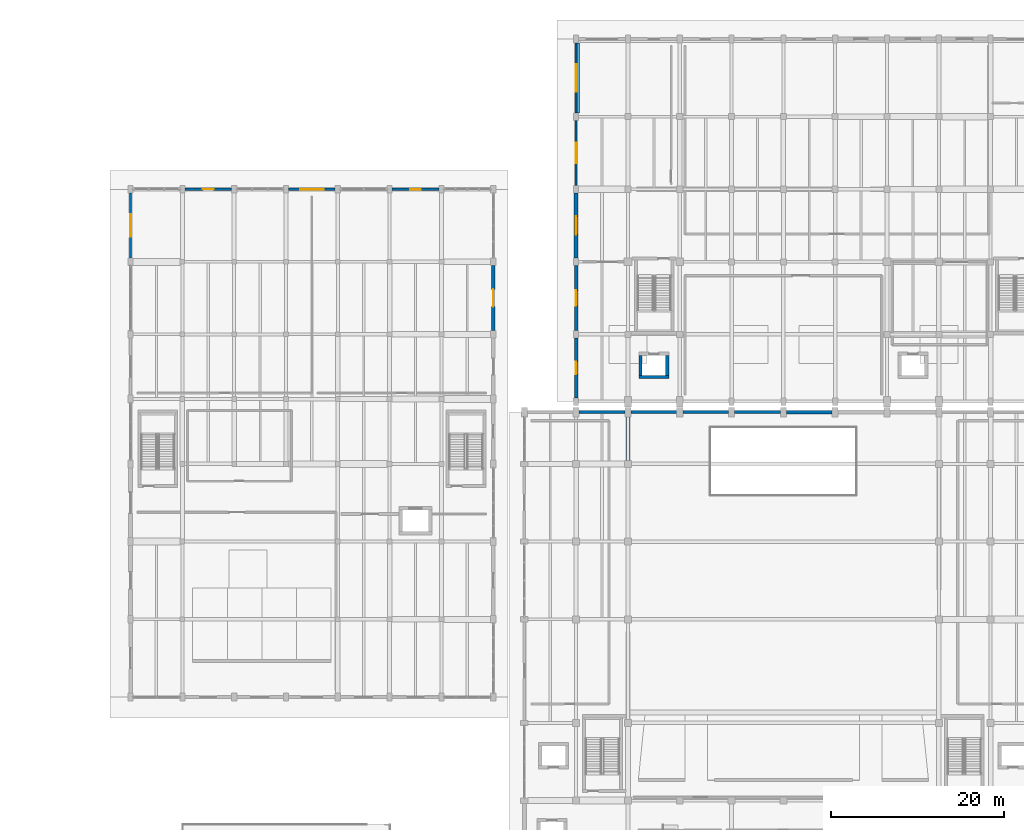
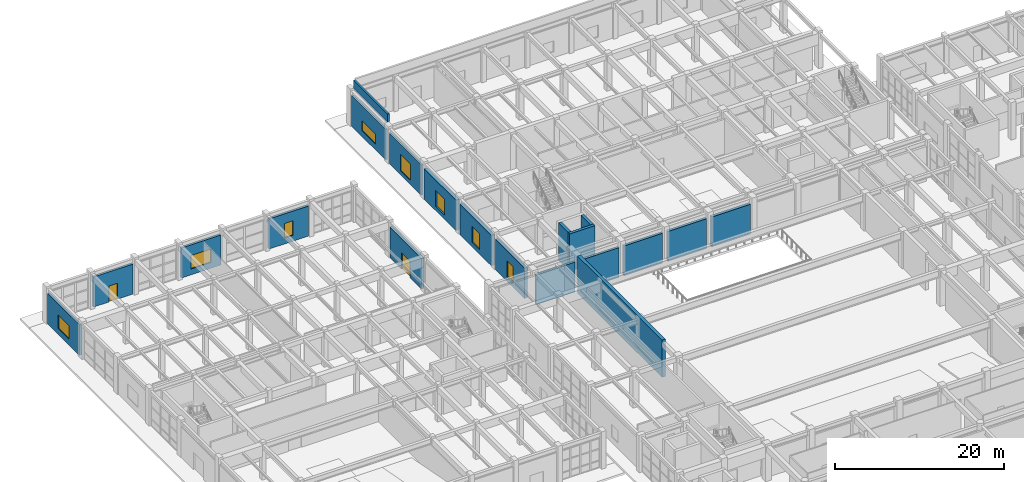
# One storey, part 74 of 91: 20 walls, 8 windows, 2 doors, 10 openings.
"""IFC4 building model written with IfcOpenShell, lengths in metres."""

from ifc_helpers import new_model, si_unit, direction, frame, frame_2d, origin, place, context, subcontext, project, spatial, rectangle, extrude, material, layer, layer_set, type_object, element, fill, save


model = new_model("IFC4")

# Units and contexts
model_context = context("Model", 3, precision=1e-05, world=origin(), true_north=direction((0.0, 1.0)))
body_context = subcontext(model_context, "Body", "Model", "MODEL_VIEW")
ifc_project = project(units=[si_unit("LENGTHUNIT", "METRE"), si_unit("AREAUNIT", "SQUARE_METRE"), si_unit("VOLUMEUNIT", "CUBIC_METRE"), si_unit("PLANEANGLEUNIT", "RADIAN"), si_unit("MASSUNIT", "GRAM", prefix="KILO")], contexts=[model_context])

# Site, building, storey
site_placement = place(None, origin())
site = spatial("IfcSite", under=ifc_project, at=site_placement, CompositionType="ELEMENT")
building_placement = place(site_placement, origin())
building = spatial("IfcBuilding", under=site, at=building_placement, Name="Vaelkrest Opera House", CompositionType="ELEMENT")
storey_placement = place(building_placement, origin())
storey = spatial("IfcBuildingStorey", under=building, at=storey_placement, Name="L00", CompositionType="ELEMENT", Elevation=0.0)

# Wall, opening, window
ifc_material_1 = material(Name="Douglas fir glulam GL28h", Category="wood")
ifc_layer_1 = layer(ifc_material_1, 0.2548828125)
ifc_layer_set_1 = layer_set([ifc_layer_1], Name="Douglas fir glulam GL28h")
wall_type_1 = type_object("IfcWallType", Name="EW01", PredefinedType="STANDARD", material=ifc_layer_set_1)
wall_1_placement = place(storey_placement, frame((-24.0, 42.447998046875, 0.0), z_axis=(0.0, 0.0, 1.0), x_axis=(0.0, 1.0, 0.0)))
wall_1 = element("IfcWall", 1, at=wall_1_placement, inside=storey, type_object=wall_type_1, Name="Exterior facade wall EW-V2-L00-0331", PredefinedType="STANDARD", context=body_context, shape_type="SweptSolid", body=[
    extrude(rectangle(XDim=7.50390625, YDim=0.2548828125, at=frame_2d((3.751953125, 0.0))), origin(), (0.0, 0.0, 1.0), 4.404052734375),
])
opening_1_placement = place(wall_1_placement, frame((2.552001953125, 0.0, 0.60009765625)))
opening_1 = element("IfcOpeningElement", 2, at=opening_1_placement, cuts=wall_1, Name="Opening WN206", PredefinedType="OPENING", context=body_context, shape_type="SweptSolid", body=[
    extrude(rectangle(XDim=2.39990234375, YDim=2.35009765625, at=frame_2d((1.199951171875, 1.175048828125))), frame((0.0, 0.137451171875, 0.0), z_axis=(0.0, -1.0, 0.0), x_axis=(1.0, 0.0, 0.0)), (0.0, 0.0, 1.0), 0.27490234375),
])
ifc_material_2 = material(Name="Double low-E insulated glazing", Category="glass")
window_type_1 = type_object("IfcWindowType", Name="WT24", PartitioningType="SINGLE_PANEL", PredefinedType="WINDOW", material=ifc_material_2)
window_1_placement = place(opening_1_placement, origin())
window_1 = element("IfcWindow", 3, at=window_1_placement, inside=storey, type_object=window_type_1, Name="Facade window WN206", OverallHeight=2.35009765625, OverallWidth=2.39990234375, PartitioningType="SINGLE_PANEL", PredefinedType="WINDOW", context=body_context, shape_type="SweptSolid", body=[
    extrude(rectangle(XDim=2.39990234375, YDim=2.35009765625, at=frame_2d((1.199951171875, 1.175048828125))), frame((0.0, 0.030029296875, 0.0), z_axis=(0.0, -1.0, 0.0), x_axis=(1.0, 0.0, 0.0)), (0.0, 0.0, 1.0), 0.06005859375),
])
fill(opening_1, window_1)

ifc_layer_2 = layer(ifc_material_1, 0.27490234375)
ifc_layer_set_2 = layer_set([ifc_layer_2], Name="Douglas fir glulam GL28h")
wall_type_2 = type_object("IfcWallType", Name="EW02", PredefinedType="STANDARD", material=ifc_layer_set_2)
wall_2_placement = place(storey_placement, frame((-75.60009765625, 34.048095703125, 0.0), z_axis=(0.0, 0.0, 1.0), x_axis=(0.0, 1.0, 0.0)))
wall_2 = element("IfcWall", 4, at=wall_2_placement, inside=storey, type_object=wall_type_2, Name="Exterior facade wall EW-V3-L00-0152", PredefinedType="STANDARD", context=body_context, shape_type="SweptSolid", body=[
    extrude(rectangle(XDim=7.50390625, YDim=0.27490234375, at=frame_2d((3.751953125, 0.0))), origin(), (0.0, 0.0, 1.0), 4.428955078125),
])
opening_2_placement = place(wall_2_placement, frame((2.451904296875, 0.0, 0.85009765625)))
opening_2 = element("IfcOpeningElement", 5, at=opening_2_placement, cuts=wall_2, Name="Opening WN063", PredefinedType="OPENING", context=body_context, shape_type="SweptSolid", body=[
    extrude(rectangle(XDim=2.60009765625, YDim=1.949951171875, at=frame_2d((1.300048828125, 0.97509765625))), frame((0.0, 0.1474609375, 0.0), z_axis=(0.0, -1.0, 0.0), x_axis=(1.0, 0.0, 0.0)), (0.0, 0.0, 1.0), 0.294921875),
])
window_type_2 = type_object("IfcWindowType", Name="WT11", PartitioningType="SINGLE_PANEL", PredefinedType="WINDOW", material=ifc_material_2)
window_2_placement = place(opening_2_placement, origin())
window_2 = element("IfcWindow", 6, at=window_2_placement, inside=storey, type_object=window_type_2, Name="Facade window WN063", OverallHeight=1.949951171875, OverallWidth=2.60009765625, PartitioningType="SINGLE_PANEL", PredefinedType="WINDOW", context=body_context, shape_type="SweptSolid", body=[
    extrude(rectangle(XDim=2.60009765625, YDim=1.949951171875, at=frame_2d((1.300048828125, 0.97509765625))), frame((0.0, 0.030029296875, 0.0), z_axis=(0.0, -1.0, 0.0), x_axis=(1.0, 0.0, 0.0)), (0.0, 0.0, 1.0), 0.06005859375),
])
fill(opening_2, window_2)

wall_3_placement = place(storey_placement, frame((-24.0, 50.847900390625, 0.0), z_axis=(0.0, 0.0, 1.0), x_axis=(0.0, 1.0, 0.0)))
wall_3 = element("IfcWall", 7, at=wall_3_placement, inside=storey, type_object=wall_type_2, Name="Exterior facade wall EW-V2-L00-0332", PredefinedType="STANDARD", context=body_context, shape_type="SweptSolid", body=[
    extrude(rectangle(XDim=8.10400390625, YDim=0.27490234375, at=frame_2d((4.052001953125, 0.0))), origin(), (0.0, 0.0, 1.0), 4.428955078125),
])
opening_3_placement = place(wall_3_placement, frame((2.451904296875, 0.0, 0.85009765625)))
opening_3 = element("IfcOpeningElement", 8, at=opening_3_placement, cuts=wall_3, Name="Opening WN207", PredefinedType="OPENING", context=body_context, shape_type="SweptSolid", body=[
    extrude(rectangle(XDim=3.199951171875, YDim=1.449951171875, at=frame_2d((1.60009765625, 0.72509765625))), frame((0.0, 0.1474609375, 0.0), z_axis=(0.0, -1.0, 0.0), x_axis=(1.0, 0.0, 0.0)), (0.0, 0.0, 1.0), 0.294921875),
])
window_type_3 = type_object("IfcWindowType", Name="WT25", PartitioningType="SINGLE_PANEL", PredefinedType="WINDOW", material=ifc_material_2)
window_3_placement = place(opening_3_placement, origin())
window_3 = element("IfcWindow", 9, at=window_3_placement, inside=storey, type_object=window_type_3, Name="Facade window WN207", OverallHeight=1.449951171875, OverallWidth=3.199951171875, PartitioningType="SINGLE_PANEL", PredefinedType="WINDOW", context=body_context, shape_type="SweptSolid", body=[
    extrude(rectangle(XDim=3.199951171875, YDim=1.449951171875, at=frame_2d((1.60009765625, 0.72509765625))), frame((0.0, 0.030029296875, 0.0), z_axis=(0.0, -1.0, 0.0), x_axis=(1.0, 0.0, 0.0)), (0.0, 0.0, 1.0), 0.06005859375),
])
fill(opening_3, window_3)

# Wall, opening, door
ifc_layer_3 = layer(ifc_material_1, 0.294921875)
ifc_layer_set_3 = layer_set([ifc_layer_3], Name="Douglas fir glulam GL28h")
wall_type_3 = type_object("IfcWallType", Name="EW03", PredefinedType="STANDARD", material=ifc_layer_set_3)
wall_4_placement = place(storey_placement, frame((-69.302001953125, 42.0, 0.0), z_axis=(0.0, 0.0, 1.0), x_axis=(1.0, 0.0, 0.0)))
wall_4 = element("IfcWall", 10, at=wall_4_placement, inside=storey, type_object=wall_type_3, Name="Exterior facade wall EW-V3-L00-0153", PredefinedType="STANDARD", context=body_context, shape_type="SweptSolid", body=[
    extrude(rectangle(XDim=5.404052734375, YDim=0.294921875, at=frame_2d((2.7021484375, 0.0))), origin(), (0.0, 0.0, 1.0), 4.344970703125),
])
opening_4_placement = place(wall_4_placement, frame((2.092041015625, 0.0, 0.0)))
opening_4 = element("IfcOpeningElement", 11, at=opening_4_placement, cuts=wall_4, Name="Opening ED-N-V3", PredefinedType="OPENING", context=body_context, shape_type="SweptSolid", body=[
    extrude(rectangle(XDim=1.219970703125, YDim=2.300048828125, at=frame_2d((0.60986328125, 1.14990234375))), frame((0.0, 0.157470703125, 0.0), z_axis=(0.0, -1.0, 0.0), x_axis=(1.0, 0.0, 0.0)), (0.0, 0.0, 1.0), 0.31494140625),
])
ifc_material_3 = material(Name="Dark bronze anodized aluminium", Category="aluminium")
door_type_1 = type_object("IfcDoorType", Name="EDT06", OperationType="NOTDEFINED", PredefinedType="DOOR", material=ifc_material_3)
door_1_placement = place(opening_4_placement, origin())
door_1 = element("IfcDoor", 12, at=door_1_placement, inside=storey, type_object=door_type_1, Name="Exterior exit door ED-N-V3", OperationType="SINGLE_SWING_RIGHT", OverallHeight=2.300048828125, OverallWidth=1.219970703125, PredefinedType="DOOR", context=body_context, shape_type="SweptSolid", body=[
    extrude(rectangle(XDim=1.219970703125, YDim=2.300048828125, at=frame_2d((0.60986328125, 1.14990234375))), frame((0.0, 0.02490234375, 0.0), z_axis=(0.0, -1.0, 0.0), x_axis=(1.0, 0.0, 0.0)), (0.0, 0.0, 1.0), 0.050048828125),
])
fill(opening_4, door_1)

# Wall
ifc_material_4 = material(Name="American black walnut acoustic timber", Category="wood")
ifc_layer_4 = layer(ifc_material_4, 0.31494140625)
ifc_layer_set_4 = layer_set([ifc_layer_4], Name="American black walnut acoustic timber")
wall_type_4 = type_object("IfcWallType", Name="EW04", PredefinedType="STANDARD", material=ifc_layer_set_4)
wall_5_placement = place(storey_placement, frame((-23.652099609375, 16.199951171875, 0.0), z_axis=(0.0, 0.0, 1.0), x_axis=(1.0, 0.0, 0.0)))
element("IfcWall", 13, at=wall_5_placement, inside=storey, type_object=wall_type_4, Name="Exterior facade wall EW-V1-L00-0014", PredefinedType="STANDARD", context=body_context, shape_type="SweptSolid", body=[
    extrude(rectangle(XDim=5.30419921875, YDim=0.31494140625, at=frame_2d((2.652099609375, 0.0))), origin(), (0.0, 0.0, 1.0), 4.320068359375),
])

# Wall, opening, window
wall_6_placement = place(storey_placement, frame((-57.302001953125, 42.0, 0.0), z_axis=(0.0, 0.0, 1.0), x_axis=(1.0, 0.0, 0.0)))
wall_6 = element("IfcWall", 14, at=wall_6_placement, inside=storey, type_object=wall_type_4, Name="Exterior facade wall EW-V3-L00-0154", PredefinedType="STANDARD", context=body_context, shape_type="SweptSolid", body=[
    extrude(rectangle(XDim=5.404052734375, YDim=0.31494140625, at=frame_2d((2.7021484375, 0.0))), origin(), (0.0, 0.0, 1.0), 4.344970703125),
])
opening_5_placement = place(wall_6_placement, frame((1.326904296875, 0.0, 0.85009765625)))
opening_5 = element("IfcOpeningElement", 15, at=opening_5_placement, cuts=wall_6, Name="Opening WN064", PredefinedType="OPENING", context=body_context, shape_type="SweptSolid", body=[
    extrude(rectangle(XDim=2.75, YDim=1.949951171875, at=frame_2d((1.375, 0.97509765625))), frame((0.0, 0.16748046875, 0.0), z_axis=(0.0, -1.0, 0.0), x_axis=(1.0, 0.0, 0.0)), (0.0, 0.0, 1.0), 0.3349609375),
])
window_type_4 = type_object("IfcWindowType", Name="WT12", PartitioningType="SINGLE_PANEL", PredefinedType="WINDOW", material=ifc_material_2)
window_4_placement = place(opening_5_placement, origin())
window_4 = element("IfcWindow", 16, at=window_4_placement, inside=storey, type_object=window_type_4, Name="Facade window WN064", OverallHeight=1.949951171875, OverallWidth=2.75, PartitioningType="SINGLE_PANEL", PredefinedType="WINDOW", context=body_context, shape_type="SweptSolid", body=[
    extrude(rectangle(XDim=2.75, YDim=1.949951171875, at=frame_2d((1.375, 0.97509765625))), frame((0.0, 0.030029296875, 0.0), z_axis=(0.0, -1.0, 0.0), x_axis=(1.0, 0.0, 0.0)), (0.0, 0.0, 1.0), 0.06005859375),
])
fill(opening_5, window_4)

# Wall
ifc_layer_5 = layer(ifc_material_4, 0.3349609375)
ifc_layer_set_5 = layer_set([ifc_layer_5], Name="American black walnut acoustic timber")
wall_type_5 = type_object("IfcWallType", Name="EW05", PredefinedType="STANDARD", material=ifc_layer_set_5)
wall_7_placement = place(storey_placement, frame((-17.652099609375, 16.199951171875, 0.0), z_axis=(0.0, 0.0, 1.0), x_axis=(1.0, 0.0, 0.0)))
element("IfcWall", 17, at=wall_7_placement, inside=storey, type_object=wall_type_5, Name="Exterior facade wall EW-V1-L00-0015", PredefinedType="STANDARD", context=body_context, shape_type="SweptSolid", body=[
    extrude(rectangle(XDim=5.30419921875, YDim=0.3349609375, at=frame_2d((2.652099609375, 0.0))), origin(), (0.0, 0.0, 1.0), 4.320068359375),
])

# Wall, opening, window
wall_8_placement = place(storey_placement, frame((-45.302001953125, 42.0, 0.0), z_axis=(0.0, 0.0, 1.0), x_axis=(1.0, 0.0, 0.0)))
wall_8 = element("IfcWall", 18, at=wall_8_placement, inside=storey, type_object=wall_type_5, Name="Exterior facade wall EW-V3-L00-0155", PredefinedType="STANDARD", context=body_context, shape_type="SweptSolid", body=[
    extrude(rectangle(XDim=5.404052734375, YDim=0.3349609375, at=frame_2d((2.7021484375, 0.0))), origin(), (0.0, 0.0, 1.0), 4.344970703125),
])
opening_6_placement = place(wall_8_placement, frame((2.10205078125, 0.0, 0.85009765625)))
opening_6 = element("IfcOpeningElement", 19, at=opening_6_placement, cuts=wall_8, Name="Opening WN065", PredefinedType="OPENING", context=body_context, shape_type="SweptSolid", body=[
    extrude(rectangle(XDim=1.199951171875, YDim=2.10009765625, at=frame_2d((0.60009765625, 1.050048828125))), frame((0.0, 0.177490234375, 0.0), z_axis=(0.0, -1.0, 0.0), x_axis=(1.0, 0.0, 0.0)), (0.0, 0.0, 1.0), 0.35498046875),
])
window_type_5 = type_object("IfcWindowType", Name="WT13", PartitioningType="SINGLE_PANEL", PredefinedType="WINDOW", material=ifc_material_2)
window_5_placement = place(opening_6_placement, origin())
window_5 = element("IfcWindow", 20, at=window_5_placement, inside=storey, type_object=window_type_5, Name="Facade window WN065", OverallHeight=2.10009765625, OverallWidth=1.199951171875, PartitioningType="SINGLE_PANEL", PredefinedType="WINDOW", context=body_context, shape_type="SweptSolid", body=[
    extrude(rectangle(XDim=1.199951171875, YDim=2.10009765625, at=frame_2d((0.60009765625, 1.050048828125))), frame((0.0, 0.030029296875, 0.0), z_axis=(0.0, -1.0, 0.0), x_axis=(1.0, 0.0, 0.0)), (0.0, 0.0, 1.0), 0.06005859375),
])
fill(opening_6, window_5)

# Wall
ifc_layer_6 = layer(ifc_material_4, 0.360107421875)
ifc_layer_set_6 = layer_set([ifc_layer_6], Name="American black walnut acoustic timber")
wall_type_6 = type_object("IfcWallType", Name="EW06", PredefinedType="STANDARD", material=ifc_layer_set_6)
wall_9_placement = place(storey_placement, frame((-11.652099609375, 16.199951171875, 0.0), z_axis=(0.0, 0.0, 1.0), x_axis=(1.0, 0.0, 0.0)))
element("IfcWall", 21, at=wall_9_placement, inside=storey, type_object=wall_type_6, Name="Exterior facade wall EW-V1-L00-0016", PredefinedType="STANDARD", context=body_context, shape_type="SweptSolid", body=[
    extrude(rectangle(XDim=5.30419921875, YDim=0.360107421875, at=frame_2d((2.652099609375, 0.0))), origin(), (0.0, 0.0, 1.0), 4.320068359375),
])

# Wall, opening, door
wall_10_placement = place(storey_placement, frame((-33.60009765625, 33.152099609375, 0.0), z_axis=(0.0, 0.0, 1.0), x_axis=(0.0, -1.0, 0.0)))
wall_10 = element("IfcWall", 22, at=wall_10_placement, inside=storey, type_object=wall_type_6, Name="Exterior facade wall EW-V3-L00-0156", PredefinedType="STANDARD", context=body_context, shape_type="SweptSolid", body=[
    extrude(rectangle(XDim=7.504150390625, YDim=0.360107421875, at=frame_2d((3.751953125, 0.0))), origin(), (0.0, 0.0, 1.0), 4.404052734375),
])
opening_7_placement = place(wall_10_placement, frame((2.751953125, 0.0, 0.0)))
opening_7 = element("IfcOpeningElement", 23, at=opening_7_placement, cuts=wall_10, Name="Opening ED17", PredefinedType="OPENING", context=body_context, shape_type="SweptSolid", body=[
    extrude(rectangle(XDim=2.0, YDim=2.39990234375, at=frame_2d((1.0, 1.199951171875))), frame((0.0, 0.18994140625, 0.0), z_axis=(0.0, -1.0, 0.0), x_axis=(1.0, 0.0, 0.0)), (0.0, 0.0, 1.0), 0.380126953125),
])
door_type_2 = type_object("IfcDoorType", Name="EDT01", OperationType="DOUBLE_DOOR_SINGLE_SWING", PredefinedType="DOOR", material=ifc_material_3)
door_2_placement = place(opening_7_placement, origin())
door_2 = element("IfcDoor", 24, at=door_2_placement, inside=storey, type_object=door_type_2, Name="Exterior exit door ED17", OperationType="DOUBLE_DOOR_SINGLE_SWING", OverallHeight=2.39990234375, OverallWidth=2.0, PredefinedType="DOOR", context=body_context, shape_type="SweptSolid", body=[
    extrude(rectangle(XDim=2.0, YDim=2.39990234375, at=frame_2d((1.0, 1.199951171875))), frame((0.0, 0.02490234375, 0.0), z_axis=(0.0, -1.0, 0.0), x_axis=(1.0, 0.0, 0.0)), (0.0, 0.0, 1.0), 0.050048828125),
])
fill(opening_7, door_2)

# Walls
ifc_material_5 = material(Name="Concrete C40/50", Category="concrete")
ifc_layer_7 = layer(ifc_material_5, 0.385009765625)
ifc_layer_set_7 = layer_set([ifc_layer_7], Name="Concrete C40/50")
wall_type_7 = type_object("IfcWallType", Name="EW07", PredefinedType="STANDARD", material=ifc_layer_set_7)
wall_11_placement = place(storey_placement, frame((-5.652099609375, 16.199951171875, 0.0), z_axis=(0.0, 0.0, 1.0), x_axis=(1.0, 0.0, 0.0)))
element("IfcWall", 25, at=wall_11_placement, inside=storey, type_object=wall_type_7, Name="Exterior facade wall EW-V1-L00-0017", PredefinedType="STANDARD", context=body_context, shape_type="SweptSolid", body=[
    extrude(rectangle(XDim=5.30419921875, YDim=0.385009765625, at=frame_2d((2.652099609375, 0.0))), origin(), (0.0, 0.0, 1.0), 4.320068359375),
])
ifc_layer_8 = layer(ifc_material_5, 0.409912109375)
ifc_layer_set_8 = layer_set([ifc_layer_8], Name="Concrete C40/50")
wall_type_8 = type_object("IfcWallType", Name="EW08", PredefinedType="STANDARD", material=ifc_layer_set_8)
wall_12_placement = place(storey_placement, frame((0.347900390625, 16.199951171875, 0.0), z_axis=(0.0, 0.0, 1.0), x_axis=(1.0, 0.0, 0.0)))
element("IfcWall", 26, at=wall_12_placement, inside=storey, type_object=wall_type_8, Name="Exterior facade wall EW-V1-L00-0018", PredefinedType="STANDARD", context=body_context, shape_type="SweptSolid", body=[
    extrude(rectangle(XDim=5.30419921875, YDim=0.409912109375, at=frame_2d((2.652099609375, 0.0))), origin(), (0.0, 0.0, 1.0), 4.320068359375),
])

# Wall, opening, window
wall_13_placement = place(storey_placement, frame((-24.0, 17.847900390625, 0.0), z_axis=(0.0, 0.0, 1.0), x_axis=(0.0, 1.0, 0.0)))
wall_13 = element("IfcWall", 27, at=wall_13_placement, inside=storey, type_object=wall_type_8, Name="Exterior facade wall EW-V2-L00-0328", PredefinedType="STANDARD", context=body_context, shape_type="SweptSolid", body=[
    extrude(rectangle(XDim=6.904052734375, YDim=0.409912109375, at=frame_2d((3.4521484375, 0.0))), origin(), (0.0, 0.0, 1.0), 4.404052734375),
])
opening_8_placement = place(wall_13_placement, frame((2.701904296875, 0.0, 0.60009765625)))
opening_8 = element("IfcOpeningElement", 28, at=opening_8_placement, cuts=wall_13, Name="Opening WN203", PredefinedType="OPENING", context=body_context, shape_type="SweptSolid", body=[
    extrude(rectangle(XDim=1.5, YDim=2.35009765625, at=frame_2d((0.75, 1.175048828125))), frame((0.0, 0.21484375, 0.0), z_axis=(0.0, -1.0, 0.0), x_axis=(1.0, 0.0, 0.0)), (0.0, 0.0, 1.0), 0.429931640625),
])
window_type_6 = type_object("IfcWindowType", Name="WT21", PartitioningType="SINGLE_PANEL", PredefinedType="WINDOW", material=ifc_material_2)
window_6_placement = place(opening_8_placement, origin())
window_6 = element("IfcWindow", 29, at=window_6_placement, inside=storey, type_object=window_type_6, Name="Facade window WN203", OverallHeight=2.35009765625, OverallWidth=1.5, PartitioningType="SINGLE_PANEL", PredefinedType="WINDOW", context=body_context, shape_type="SweptSolid", body=[
    extrude(rectangle(XDim=1.5, YDim=2.35009765625, at=frame_2d((0.75, 1.175048828125))), frame((0.0, 0.030029296875, 0.0), z_axis=(0.0, -1.0, 0.0), x_axis=(1.0, 0.0, 0.0)), (0.0, 0.0, 1.0), 0.06005859375),
])
fill(opening_8, window_6)

ifc_layer_9 = layer(ifc_material_5, 0.43505859375)
ifc_layer_set_9 = layer_set([ifc_layer_9], Name="Concrete C40/50")
wall_type_9 = type_object("IfcWallType", Name="EW09", PredefinedType="STANDARD", material=ifc_layer_set_9)
wall_14_placement = place(storey_placement, frame((-24.0, 25.64794921875, 0.0), z_axis=(0.0, 0.0, 1.0), x_axis=(0.0, 1.0, 0.0)))
wall_14 = element("IfcWall", 30, at=wall_14_placement, inside=storey, type_object=wall_type_9, Name="Exterior facade wall EW-V2-L00-0329", PredefinedType="STANDARD", context=body_context, shape_type="SweptSolid", body=[
    extrude(rectangle(XDim=7.504150390625, YDim=0.43505859375, at=frame_2d((3.751953125, 0.0))), origin(), (0.0, 0.0, 1.0), 4.404052734375),
])
opening_9_placement = place(wall_14_placement, frame((2.85205078125, 0.0, 0.60009765625)))
opening_9 = element("IfcOpeningElement", 31, at=opening_9_placement, cuts=wall_14, Name="Opening WN204", PredefinedType="OPENING", context=body_context, shape_type="SweptSolid", body=[
    extrude(rectangle(XDim=1.800048828125, YDim=2.35009765625, at=frame_2d((0.89990234375, 1.175048828125))), frame((0.0, 0.2275390625, 0.0), z_axis=(0.0, -1.0, 0.0), x_axis=(1.0, 0.0, 0.0)), (0.0, 0.0, 1.0), 0.455078125),
])
window_type_7 = type_object("IfcWindowType", Name="WT22", PartitioningType="SINGLE_PANEL", PredefinedType="WINDOW", material=ifc_material_2)
window_7_placement = place(opening_9_placement, origin())
window_7 = element("IfcWindow", 32, at=window_7_placement, inside=storey, type_object=window_type_7, Name="Facade window WN204", OverallHeight=2.35009765625, OverallWidth=1.800048828125, PartitioningType="SINGLE_PANEL", PredefinedType="WINDOW", context=body_context, shape_type="SweptSolid", body=[
    extrude(rectangle(XDim=1.800048828125, YDim=2.35009765625, at=frame_2d((0.89990234375, 1.175048828125))), frame((0.0, 0.030029296875, 0.0), z_axis=(0.0, -1.0, 0.0), x_axis=(1.0, 0.0, 0.0)), (0.0, 0.0, 1.0), 0.06005859375),
])
fill(opening_9, window_7)

ifc_layer_10 = layer(ifc_material_5, 0.465087890625)
ifc_layer_set_10 = layer_set([ifc_layer_10], Name="Concrete C40/50")
wall_type_10 = type_object("IfcWallType", Name="EW10", PredefinedType="STANDARD", material=ifc_layer_set_10)
wall_15_placement = place(storey_placement, frame((-24.0, 34.048095703125, 0.0), z_axis=(0.0, 0.0, 1.0), x_axis=(0.0, 1.0, 0.0)))
wall_15 = element("IfcWall", 33, at=wall_15_placement, inside=storey, type_object=wall_type_10, Name="Exterior facade wall EW-V2-L00-0330", PredefinedType="STANDARD", context=body_context, shape_type="SweptSolid", body=[
    extrude(rectangle(XDim=7.50390625, YDim=0.465087890625, at=frame_2d((3.751953125, 0.0))), origin(), (0.0, 0.0, 1.0), 4.404052734375),
])
opening_10_placement = place(wall_15_placement, frame((2.701904296875, 0.0, 0.60009765625)))
opening_10 = element("IfcOpeningElement", 34, at=opening_10_placement, cuts=wall_15, Name="Opening WN205", PredefinedType="OPENING", context=body_context, shape_type="SweptSolid", body=[
    extrude(rectangle(XDim=2.10009765625, YDim=2.35009765625, at=frame_2d((1.050048828125, 1.175048828125))), frame((0.0, 0.242431640625, 0.0), z_axis=(0.0, -1.0, 0.0), x_axis=(1.0, 0.0, 0.0)), (0.0, 0.0, 1.0), 0.485107421875),
])
window_type_8 = type_object("IfcWindowType", Name="WT23", PartitioningType="SINGLE_PANEL", PredefinedType="WINDOW", material=ifc_material_2)
window_8_placement = place(opening_10_placement, origin())
window_8 = element("IfcWindow", 35, at=window_8_placement, inside=storey, type_object=window_type_8, Name="Facade window WN205", OverallHeight=2.35009765625, OverallWidth=2.10009765625, PartitioningType="SINGLE_PANEL", PredefinedType="WINDOW", context=body_context, shape_type="SweptSolid", body=[
    extrude(rectangle(XDim=2.10009765625, YDim=2.35009765625, at=frame_2d((1.050048828125, 1.175048828125))), frame((0.0, 0.030029296875, 0.0), z_axis=(0.0, -1.0, 0.0), x_axis=(1.0, 0.0, 0.0)), (0.0, 0.0, 1.0), 0.06005859375),
])
fill(opening_10, window_8)

# Walls
ifc_layer_11 = layer(ifc_material_5, 0.264892578125)
ifc_layer_set_11 = layer_set([ifc_layer_11], Name="Concrete C40/50")
wall_type_11 = type_object("IfcWallType", Name="PP03", PredefinedType="PARAPET", material=ifc_layer_set_11)
wall_16_placement = place(storey_placement, frame((-23.75, 58.949951171875, 5.39990234375), z_axis=(0.0, 0.0, 1.0), x_axis=(0.0, -1.0, 0.0)))
element("IfcWall", 36, at=wall_16_placement, inside=storey, type_object=wall_type_11, Name="Roof parapet 19", PredefinedType="PARAPET", context=body_context, shape_type="SweptSolid", body=[
    extrude(rectangle(XDim=8.099853515625, YDim=0.264892578125, at=frame_2d((4.0498046875, 0.0))), origin(), (0.0, 0.0, 1.0), 1.150146484375),
])
ifc_material_6 = material(Name="Concrete C50/60", Category="concrete")
ifc_layer_12 = layer(ifc_material_6, 0.389892578125)
ifc_layer_set_12 = layer_set([ifc_layer_12], Name="Concrete C50/60")
wall_type_12 = type_object("IfcWallType", Name="SW02", PredefinedType="SHEAR", material=ifc_layer_set_12)
wall_17_placement = place(storey_placement, frame((-13.260009765625, 20.2548828125, 0.0), z_axis=(0.0, 0.0, 1.0), x_axis=(-1.0, 0.0, 0.0)))
element("IfcWall", 37, at=wall_17_placement, inside=storey, type_object=wall_type_12, Name="Lift shaft LF01 wall L00 S", PredefinedType="SHEAR", context=body_context, shape_type="SweptSolid", body=[
    extrude(rectangle(XDim=3.47998046875, YDim=0.389892578125, at=frame_2d((1.739990234375, 0.0))), origin(), (0.0, 0.0, 1.0), 5.39990234375),
])
for number, where, z_axis, x_axis, name in (
    (38, (-16.544921875, 20.449951171875, 0.0), (0.0, 0.0, 1.0), (0.0, 1.0, 0.0), "Lift shaft LF01 wall L00 W"),
    (39, (-13.455078125, 22.75, 0.0), (0.0, 0.0, 1.0), (0.0, -1.0, 0.0), "Lift shaft LF01 wall L00 E"),
):
    element("IfcWall", number, at=place(storey_placement, frame(where, z_axis=z_axis, x_axis=x_axis)), inside=storey, type_object=wall_type_12, Name=name, PredefinedType="SHEAR", context=body_context, shape_type="SweptSolid", body=[
        extrude(rectangle(XDim=2.300048828125, YDim=0.389892578125, at=frame_2d((1.14990234375, 0.0))), origin(), (0.0, 0.0, 1.0), 5.39990234375),
    ])
ifc_layer_13 = layer(ifc_material_6, 0.449951171875)
ifc_layer_set_13 = layer_set([ifc_layer_13], Name="Concrete C50/60")
wall_type_13 = type_object("IfcWallType", Name="SW03", PredefinedType="SHEAR", material=ifc_layer_set_13)
wall_18_placement = place(storey_placement, frame((-18.0, -4.39990234375, 0.0), z_axis=(0.0, 0.0, 1.0), x_axis=(0.0, 1.0, 0.0)))
element("IfcWall", 40, at=wall_18_placement, inside=storey, type_object=wall_type_13, Name="Auditorium shell wall W2 L00", PredefinedType="SHEAR", context=body_context, shape_type="SweptSolid", body=[
    extrude(rectangle(XDim=20.0498046875, YDim=0.449951171875, at=frame_2d((10.02490234375, 0.0))), origin(), (0.0, 0.0, 1.0), 5.39990234375),
])

save(model, "model.ifc")
